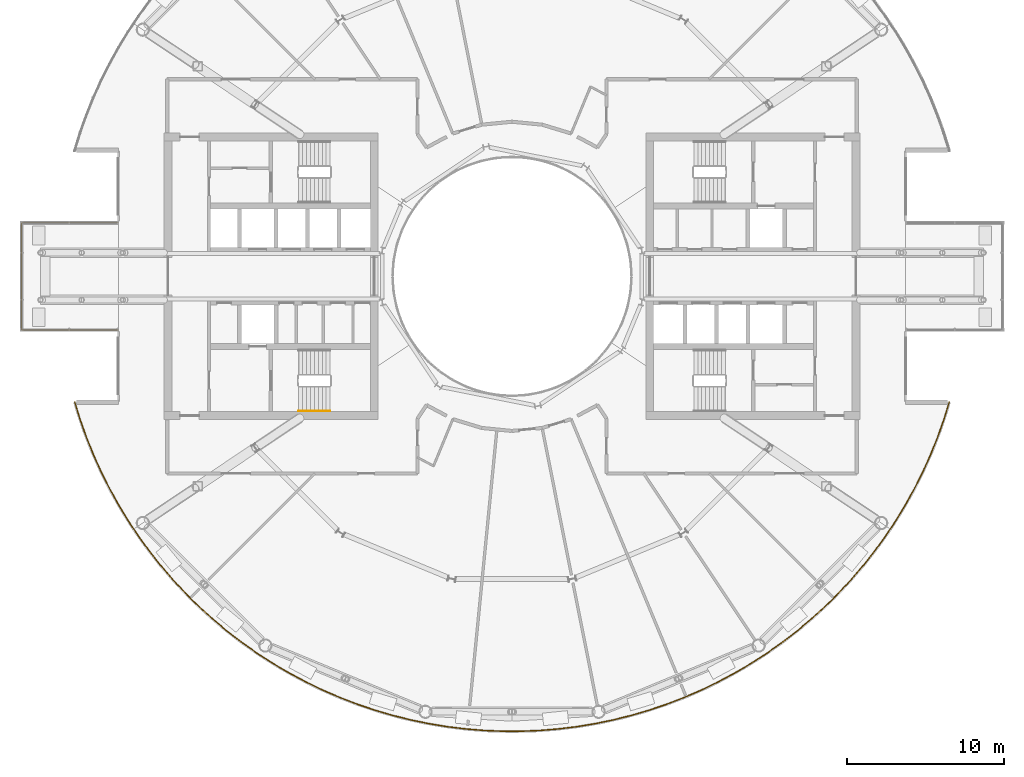
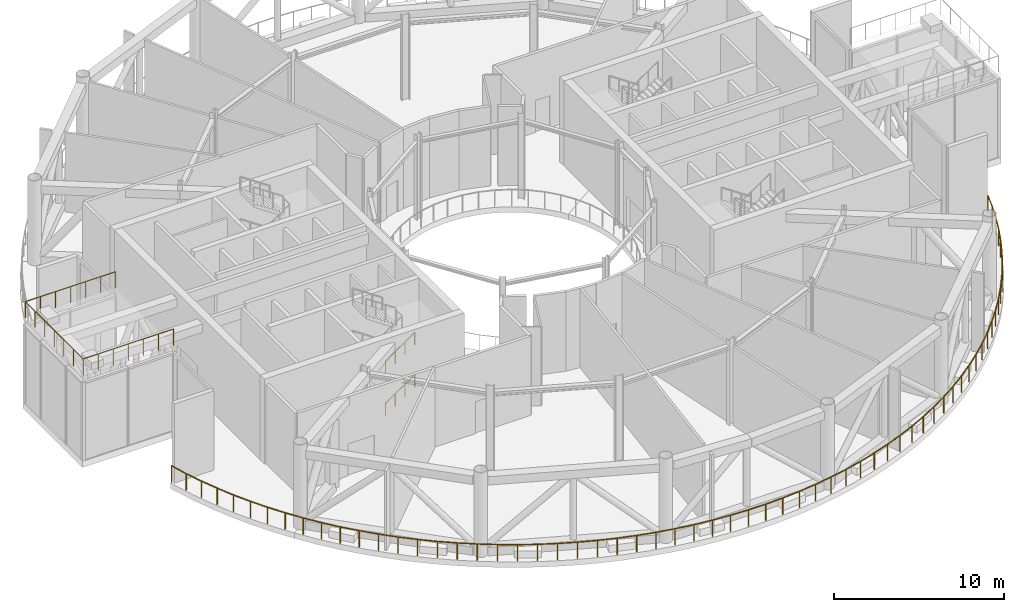
# One storey, part 20 of 24: 4 railings.
"""IFC4 building model written with IfcOpenShell, lengths in metres."""

from ifc_helpers import new_model, si_unit, direction, frame, origin, origin_2d, place, context, subcontext, project, spatial, circle, extrude, material, type_object, element, save


model = new_model("IFC4")

# Units and contexts
model_context = context("Model", 3, precision=1e-05, world=origin(), true_north=direction((0.0, 1.0)))
body_context = subcontext(model_context, "Body", "Model", "MODEL_VIEW")
ifc_project = project(units=[si_unit("LENGTHUNIT", "METRE"), si_unit("AREAUNIT", "SQUARE_METRE"), si_unit("VOLUMEUNIT", "CUBIC_METRE"), si_unit("PLANEANGLEUNIT", "RADIAN"), si_unit("MASSUNIT", "GRAM", prefix="KILO")], contexts=[model_context])

# Site, building, storey
site_placement = place(None, origin())
site = spatial("IfcSite", under=ifc_project, at=site_placement, CompositionType="ELEMENT")
building_placement = place(site_placement, origin())
building = spatial("IfcBuilding", under=site, at=building_placement, Name="Maasbend Ring Residences", CompositionType="ELEMENT")
storey_placement = place(building_placement, frame((0.0, 0.0, 179.89990234375)))
storey = spatial("IfcBuildingStorey", under=building, at=storey_placement, Name="L52", CompositionType="ELEMENT", Elevation=179.89990234375)

# Railings
ifc_material_1 = material(Name="Stainless steel 316 and glass", Category="steel")
railing_type_1 = type_object("IfcRailingType", Name="RL-GUARD", PredefinedType="GUARDRAIL", material=ifc_material_1)
railing_1_placement = place(storey_placement, frame((-27.778564453125, -7.972412109375, 0.0)))
element("IfcRailing", 1, at=railing_1_placement, inside=storey, type_object=railing_type_1, Name="Garden guard outer 2", PredefinedType="GUARDRAIL", context=body_context, shape_type="SweptSolid", body=[
    extrude(circle(Radius=0.02490234375, at=origin_2d()), frame((0.0, 0.0, 1.1748046875), z_axis=(0.295504624123, -0.95534130923, 0.0), x_axis=(0.95534130923, 0.295504624123, 0.0)), (0.0, 0.0, 1.0), 1.184814453125),
    extrude(circle(Radius=0.02490234375, at=origin_2d()), frame((0.35009765625, -1.1318359375, 1.1748046875), z_axis=(0.334285842511, -0.94247173724, 0.0), x_axis=(0.94247173724, 0.334285842511, 0.0)), (0.0, 0.0, 1.0), 1.1845703125),
    extrude(circle(Radius=0.02490234375, at=origin_2d()), frame((0.74609375, -2.248291015625, 1.1748046875), z_axis=(0.372847180885, -0.927892763042, 0.0), x_axis=(0.927892763042, 0.372847180885, 0.0)), (0.0, 0.0, 1.0), 1.1845703125),
    extrude(circle(Radius=0.02490234375, at=origin_2d()), frame((1.187744140625, -3.347412109375, 1.1748046875), z_axis=(0.410493199792, -0.911863659175, 0.0), x_axis=(0.911863659175, 0.410493199792, 0.0)), (0.0, 0.0, 1.0), 1.184814453125),
    extrude(circle(Radius=0.02490234375, at=origin_2d()), frame((1.674072265625, -4.427734375, 1.1748046875), z_axis=(0.447460908245, -0.894303491882, 0.0), x_axis=(0.894303491882, 0.447460908245, 0.0)), (0.0, 0.0, 1.0), 1.1845703125),
    extrude(circle(Radius=0.02490234375, at=origin_2d()), frame((2.2041015625, -5.487060546875, 1.1748046875), z_axis=(0.483839805506, -0.875156581766, 0.0), x_axis=(0.875156581766, 0.483839805506, 0.0)), (0.0, 0.0, 1.0), 1.184814453125),
    extrude(circle(Radius=0.02490234375, at=origin_2d()), frame((2.77734375, -6.52392578125, 1.1748046875), z_axis=(0.51915559987, -0.854679743017, 0.0), x_axis=(0.854679743017, 0.51915559987, 0.0)), (0.0, 0.0, 1.0), 1.1845703125),
    extrude(circle(Radius=0.02490234375, at=origin_2d()), frame((3.392333984375, -7.536376953125, 1.1748046875), z_axis=(0.553796190877, -0.832652255729, 0.0), x_axis=(0.832652255729, 0.553796190877, 0.0)), (0.0, 0.0, 1.0), 1.1845703125),
    extrude(circle(Radius=0.02490234375, at=origin_2d()), frame((4.04833984375, -8.522705078125, 1.1748046875), z_axis=(0.58749759803, -0.809225909317, 0.0), x_axis=(0.809225909317, 0.58749759803, 0.0)), (0.0, 0.0, 1.0), 1.184814453125),
    extrude(circle(Radius=0.02490234375, at=origin_2d()), frame((4.744384765625, -9.4814453125, 1.1748046875), z_axis=(0.620185444157, -0.78445523445, 0.0), x_axis=(0.78445523445, 0.620185444157, 0.0)), (0.0, 0.0, 1.0), 1.1845703125),
    extrude(circle(Radius=0.02490234375, at=origin_2d()), frame((5.47900390625, -10.41064453125, 1.1748046875), z_axis=(0.65182600946, -0.758368547206, 0.0), x_axis=(0.758368547206, 0.65182600946, 0.0)), (0.0, 0.0, 1.0), 1.184814453125),
    extrude(circle(Radius=0.02490234375, at=origin_2d()), frame((6.251220703125, -11.30908203125, 1.1748046875), z_axis=(0.682156690758, -0.731206023809, 0.0), x_axis=(0.731206023809, 0.682156690758, 0.0)), (0.0, 0.0, 1.0), 1.1845703125),
    extrude(circle(Radius=0.02490234375, at=origin_2d()), frame((7.059326171875, -12.17529296875, 1.1748046875), z_axis=(0.711830937603, -0.702350849841, 0.0), x_axis=(0.702350849841, 0.711830937603, 0.0)), (0.0, 0.0, 1.0), 1.1845703125),
    extrude(circle(Radius=0.02490234375, at=origin_2d()), frame((7.902587890625, -13.00732421875, 1.1748046875), z_axis=(0.739800189204, -0.672826634471, 0.0), x_axis=(0.672826634471, 0.739800189204, 0.0)), (0.0, 0.0, 1.0), 1.184814453125),
    extrude(circle(Radius=0.02490234375, at=origin_2d()), frame((8.779052734375, -13.804443359375, 1.1748046875), z_axis=(0.766885051085, -0.641784479731, 0.0), x_axis=(0.641784479731, 0.766885051085, 0.0)), (0.0, 0.0, 1.0), 1.1845703125),
    extrude(circle(Radius=0.02490234375, at=origin_2d()), frame((9.6875, -14.564697265625, 1.1748046875), z_axis=(0.792493715501, -0.609880079107, 0.0), x_axis=(0.609880079107, 0.792493715501, 0.0)), (0.0, 0.0, 1.0), 1.1845703125),
    extrude(circle(Radius=0.02490234375, at=origin_2d()), frame((10.626220703125, -15.287109375, 1.1748046875), z_axis=(0.816785089041, -0.576942040695, 0.0), x_axis=(0.576942040695, 0.816785089041, 0.0)), (0.0, 0.0, 1.0), 1.184814453125),
    extrude(circle(Radius=0.02490234375, at=origin_2d()), frame((11.593994140625, -15.970703125, 1.1748046875), z_axis=(0.839829939632, -0.542849585519, 0.0), x_axis=(0.542849585519, 0.839829939632, 0.0)), (0.0, 0.0, 1.0), 1.1845703125),
    extrude(circle(Radius=0.02490234375, at=origin_2d()), frame((12.5888671875, -16.61376953125, 1.1748046875), z_axis=(0.861324276781, -0.508055597575, 0.0), x_axis=(0.508055597575, 0.861324276781, 0.0)), (0.0, 0.0, 1.0), 1.1845703125),
    extrude(circle(Radius=0.02490234375, at=origin_2d()), frame((13.609130859375, -17.215576171875, 1.1748046875), z_axis=(0.881415624836, -0.472341503887, 0.0), x_axis=(0.472341503887, 0.881415624836, 0.0)), (0.0, 0.0, 1.0), 1.1845703125),
    extrude(circle(Radius=0.02490234375, at=origin_2d()), frame((14.6533203125, -17.775146484375, 1.1748046875), z_axis=(0.900002799964, -0.435884113104, 0.0), x_axis=(0.435884113104, 0.900002799964, 0.0)), (0.0, 0.0, 1.0), 1.1845703125),
    extrude(circle(Radius=0.02490234375, at=origin_2d()), frame((15.719482421875, -18.29150390625, 1.1748046875), z_axis=(0.917129024526, -0.398590456951, 0.0), x_axis=(0.398590456951, 0.917129024526, 0.0)), (0.0, 0.0, 1.0), 1.1845703125),
    extrude(circle(Radius=0.02490234375, at=origin_2d()), frame((16.805908203125, -18.763671875, 1.1748046875), z_axis=(0.932706782024, -0.360635631582, 0.0), x_axis=(0.360635631582, 0.932706782024, 0.0)), (0.0, 0.0, 1.0), 1.184814453125),
    extrude(circle(Radius=0.02490234375, at=origin_2d()), frame((17.910888671875, -19.19091796875, 1.1748046875), z_axis=(0.946770232419, -0.321910122559, 0.0), x_axis=(0.321910122559, 0.946770232419, 0.0)), (0.0, 0.0, 1.0), 1.1845703125),
    extrude(circle(Radius=0.02490234375, at=origin_2d()), frame((19.032470703125, -19.572265625, 1.1748046875), z_axis=(0.959076230705, -0.283147989039, 0.0), x_axis=(0.283147989039, 0.959076230705, 0.0)), (0.0, 0.0, 1.0), 1.184814453125),
    extrude(circle(Radius=0.02490234375, at=origin_2d()), frame((20.168701171875, -19.90771484375, 1.1748046875), z_axis=(0.969923880017, -0.243408436528, 0.0), x_axis=(0.243408436528, 0.969923880017, 0.0)), (0.0, 0.0, 1.0), 1.1845703125),
    extrude(circle(Radius=0.02490234375, at=origin_2d()), frame((21.317626953125, -20.196044921875, 1.1748046875), z_axis=(0.979054075839, -0.203600384536, 0.0), x_axis=(0.203600384536, 0.979054075839, 0.0)), (0.0, 0.0, 1.0), 1.184814453125),
    extrude(circle(Radius=0.02490234375, at=origin_2d()), frame((22.4775390625, -20.437255859375, 1.1748046875), z_axis=(0.986588187234, -0.163229129787, 0.0), x_axis=(0.163229129787, 0.986588187234, 0.0)), (0.0, 0.0, 1.0), 1.1845703125),
    extrude(circle(Radius=0.02490234375, at=origin_2d()), frame((23.646240234375, -20.630615234375, 1.1748046875), z_axis=(0.992454401235, -0.122614279222, 0.0), x_axis=(0.122614279222, 0.992454401235, 0.0)), (0.0, 0.0, 1.0), 1.184814453125),
    extrude(circle(Radius=0.02490234375, at=origin_2d()), frame((24.822021484375, -20.77587890625, 1.1748046875), z_axis=(0.996630509683, -0.082022113907, 0.0), x_axis=(0.082022113907, 0.996630509683, 0.0)), (0.0, 0.0, 1.0), 1.1845703125),
    extrude(circle(Radius=0.02490234375, at=origin_2d()), frame((26.002685546875, -20.873046875, 1.1748046875), z_axis=(0.999158599932, -0.041013317118, 0.0), x_axis=(0.041013317118, 0.999158599932, 0.0)), (0.0, 0.0, 1.0), 1.1845703125),
    extrude(circle(Radius=0.02490234375, at=origin_2d()), frame((27.186279296875, -20.921630859375, 1.1748046875), z_axis=(1.0, 0.0, 0.0), x_axis=(0.0, 1.0, 0.0)), (0.0, 0.0, 1.0), 1.1845703125),
    extrude(circle(Radius=0.02490234375, at=origin_2d()), frame((28.370849609375, -20.921630859375, 1.1748046875), z_axis=(0.999158599932, 0.041013317118, 0.0), x_axis=(-0.041013317118, 0.999158599932, 0.0)), (0.0, 0.0, 1.0), 1.1845703125),
    extrude(circle(Radius=0.02490234375, at=origin_2d()), frame((29.554443359375, -20.873046875, 1.1748046875), z_axis=(0.996630509683, 0.082022113907, 0.0), x_axis=(-0.082022113907, 0.996630509683, 0.0)), (0.0, 0.0, 1.0), 1.1845703125),
    extrude(circle(Radius=0.02490234375, at=origin_2d()), frame((30.735107421875, -20.77587890625, 1.1748046875), z_axis=(0.992454401235, 0.122614279222, 0.0), x_axis=(-0.122614279222, 0.992454401235, 0.0)), (0.0, 0.0, 1.0), 1.184814453125),
    extrude(circle(Radius=0.02490234375, at=origin_2d()), frame((31.910888671875, -20.630615234375, 1.1748046875), z_axis=(0.986588187234, 0.163229129787, 0.0), x_axis=(-0.163229129787, 0.986588187234, 0.0)), (0.0, 0.0, 1.0), 1.1845703125),
    extrude(circle(Radius=0.02490234375, at=origin_2d()), frame((33.07958984375, -20.437255859375, 1.1748046875), z_axis=(0.979054075839, 0.203600384536, 0.0), x_axis=(-0.203600384536, 0.979054075839, 0.0)), (0.0, 0.0, 1.0), 1.184814453125),
    extrude(circle(Radius=0.02490234375, at=origin_2d()), frame((34.239501953125, -20.196044921875, 1.1748046875), z_axis=(0.969923880017, 0.243408436528, 0.0), x_axis=(-0.243408436528, 0.969923880017, 0.0)), (0.0, 0.0, 1.0), 1.1845703125),
    extrude(circle(Radius=0.02490234375, at=origin_2d()), frame((35.388427734375, -19.90771484375, 1.1748046875), z_axis=(0.959076230705, 0.283147989039, 0.0), x_axis=(-0.283147989039, 0.959076230705, 0.0)), (0.0, 0.0, 1.0), 1.184814453125),
    extrude(circle(Radius=0.02490234375, at=origin_2d()), frame((36.524658203125, -19.572265625, 1.1748046875), z_axis=(0.946770232419, 0.321910122559, 0.0), x_axis=(-0.321910122559, 0.946770232419, 0.0)), (0.0, 0.0, 1.0), 1.1845703125),
    extrude(circle(Radius=0.02490234375, at=origin_2d()), frame((37.646240234375, -19.19091796875, 1.1748046875), z_axis=(0.932706782024, 0.360635631582, 0.0), x_axis=(-0.360635631582, 0.932706782024, 0.0)), (0.0, 0.0, 1.0), 1.184814453125),
    extrude(circle(Radius=0.02490234375, at=origin_2d()), frame((38.751220703125, -18.763671875, 1.1748046875), z_axis=(0.917129024526, 0.398590456951, 0.0), x_axis=(-0.398590456951, 0.917129024526, 0.0)), (0.0, 0.0, 1.0), 1.1845703125),
    extrude(circle(Radius=0.02490234375, at=origin_2d()), frame((39.837646484375, -18.29150390625, 1.1748046875), z_axis=(0.900002799964, 0.435884113104, 0.0), x_axis=(-0.435884113104, 0.900002799964, 0.0)), (0.0, 0.0, 1.0), 1.1845703125),
    extrude(circle(Radius=0.02490234375, at=origin_2d()), frame((40.90380859375, -17.775146484375, 1.1748046875), z_axis=(0.881415624836, 0.472341503887, 0.0), x_axis=(-0.472341503887, 0.881415624836, 0.0)), (0.0, 0.0, 1.0), 1.1845703125),
    extrude(circle(Radius=0.02490234375, at=origin_2d()), frame((41.947998046875, -17.215576171875, 1.1748046875), z_axis=(0.861324276781, 0.508055597575, 0.0), x_axis=(-0.508055597575, 0.861324276781, 0.0)), (0.0, 0.0, 1.0), 1.1845703125),
    extrude(circle(Radius=0.02490234375, at=origin_2d()), frame((42.96826171875, -16.61376953125, 1.1748046875), z_axis=(0.839829939632, 0.542849585519, 0.0), x_axis=(-0.542849585519, 0.839829939632, 0.0)), (0.0, 0.0, 1.0), 1.1845703125),
    extrude(circle(Radius=0.02490234375, at=origin_2d()), frame((43.963134765625, -15.970703125, 1.1748046875), z_axis=(0.816785089041, 0.576942040695, 0.0), x_axis=(-0.576942040695, 0.816785089041, 0.0)), (0.0, 0.0, 1.0), 1.184814453125),
    extrude(circle(Radius=0.02490234375, at=origin_2d()), frame((44.930908203125, -15.287109375, 1.1748046875), z_axis=(0.792493715501, 0.609880079107, 0.0), x_axis=(-0.609880079107, 0.792493715501, 0.0)), (0.0, 0.0, 1.0), 1.1845703125),
    extrude(circle(Radius=0.02490234375, at=origin_2d()), frame((45.86962890625, -14.564697265625, 1.1748046875), z_axis=(0.766885051085, 0.641784479731, 0.0), x_axis=(-0.641784479731, 0.766885051085, 0.0)), (0.0, 0.0, 1.0), 1.1845703125),
    extrude(circle(Radius=0.02490234375, at=origin_2d()), frame((46.778076171875, -13.804443359375, 1.1748046875), z_axis=(0.739800189204, 0.672826634471, 0.0), x_axis=(-0.672826634471, 0.739800189204, 0.0)), (0.0, 0.0, 1.0), 1.184814453125),
    extrude(circle(Radius=0.02490234375, at=origin_2d()), frame((47.654541015625, -13.00732421875, 1.1748046875), z_axis=(0.711830937603, 0.702350849841, 0.0), x_axis=(-0.702350849841, 0.711830937603, 0.0)), (0.0, 0.0, 1.0), 1.1845703125),
    extrude(circle(Radius=0.02490234375, at=origin_2d()), frame((48.497802734375, -12.17529296875, 1.1748046875), z_axis=(0.682156690758, 0.731206023809, 0.0), x_axis=(-0.731206023809, 0.682156690758, 0.0)), (0.0, 0.0, 1.0), 1.1845703125),
    extrude(circle(Radius=0.02490234375, at=origin_2d()), frame((49.305908203125, -11.30908203125, 1.1748046875), z_axis=(0.65182600946, 0.758368547206, 0.0), x_axis=(-0.758368547206, 0.65182600946, 0.0)), (0.0, 0.0, 1.0), 1.184814453125),
    extrude(circle(Radius=0.02490234375, at=origin_2d()), frame((50.078125, -10.41064453125, 1.1748046875), z_axis=(0.620185444157, 0.78445523445, 0.0), x_axis=(-0.78445523445, 0.620185444157, 0.0)), (0.0, 0.0, 1.0), 1.1845703125),
    extrude(circle(Radius=0.02490234375, at=origin_2d()), frame((50.812744140625, -9.4814453125, 1.1748046875), z_axis=(0.58749759803, 0.809225909317, 0.0), x_axis=(-0.809225909317, 0.58749759803, 0.0)), (0.0, 0.0, 1.0), 1.184814453125),
    extrude(circle(Radius=0.02490234375, at=origin_2d()), frame((51.5087890625, -8.522705078125, 1.1748046875), z_axis=(0.553796190877, 0.832652255729, 0.0), x_axis=(-0.832652255729, 0.553796190877, 0.0)), (0.0, 0.0, 1.0), 1.1845703125),
    extrude(circle(Radius=0.02490234375, at=origin_2d()), frame((52.164794921875, -7.536376953125, 1.1748046875), z_axis=(0.51915559987, 0.854679743017, 0.0), x_axis=(-0.854679743017, 0.51915559987, 0.0)), (0.0, 0.0, 1.0), 1.1845703125),
    extrude(circle(Radius=0.02490234375, at=origin_2d()), frame((52.77978515625, -6.52392578125, 1.1748046875), z_axis=(0.483839805506, 0.875156581766, 0.0), x_axis=(-0.875156581766, 0.483839805506, 0.0)), (0.0, 0.0, 1.0), 1.184814453125),
    extrude(circle(Radius=0.02490234375, at=origin_2d()), frame((53.35302734375, -5.487060546875, 1.1748046875), z_axis=(0.447460908245, 0.894303491882, 0.0), x_axis=(-0.894303491882, 0.447460908245, 0.0)), (0.0, 0.0, 1.0), 1.1845703125),
    extrude(circle(Radius=0.02490234375, at=origin_2d()), frame((53.883056640625, -4.427734375, 1.1748046875), z_axis=(0.410493199792, 0.911863659175, 0.0), x_axis=(-0.911863659175, 0.410493199792, 0.0)), (0.0, 0.0, 1.0), 1.184814453125),
    extrude(circle(Radius=0.02490234375, at=origin_2d()), frame((54.369384765625, -3.347412109375, 1.1748046875), z_axis=(0.372847180885, 0.927892763042, 0.0), x_axis=(-0.927892763042, 0.372847180885, 0.0)), (0.0, 0.0, 1.0), 1.1845703125),
    extrude(circle(Radius=0.02490234375, at=origin_2d()), frame((54.81103515625, -2.248291015625, 1.1748046875), z_axis=(0.334285842511, 0.94247173724, 0.0), x_axis=(-0.94247173724, 0.334285842511, 0.0)), (0.0, 0.0, 1.0), 1.1845703125),
    extrude(circle(Radius=0.02490234375, at=origin_2d()), frame((55.20703125, -1.1318359375, 1.1748046875), z_axis=(0.295504624123, 0.95534130923, 0.0), x_axis=(-0.95534130923, 0.295504624123, 0.0)), (0.0, 0.0, 1.0), 1.184814453125),
    extrude(circle(Radius=0.02001953125, at=origin_2d()), origin(), (0.0, 0.0, 1.0), 1.14990234375),
    extrude(circle(Radius=0.02001953125, at=origin_2d()), frame((0.35009765625, -1.1318359375, 0.0)), (0.0, 0.0, 1.0), 1.14990234375),
    extrude(circle(Radius=0.02001953125, at=origin_2d()), frame((0.74609375, -2.248291015625, 0.0)), (0.0, 0.0, 1.0), 1.14990234375),
    extrude(circle(Radius=0.02001953125, at=origin_2d()), frame((1.187744140625, -3.347412109375, 0.0)), (0.0, 0.0, 1.0), 1.14990234375),
    extrude(circle(Radius=0.02001953125, at=origin_2d()), frame((1.674072265625, -4.427734375, 0.0)), (0.0, 0.0, 1.0), 1.14990234375),
    extrude(circle(Radius=0.02001953125, at=origin_2d()), frame((2.2041015625, -5.487060546875, 0.0)), (0.0, 0.0, 1.0), 1.14990234375),
    extrude(circle(Radius=0.02001953125, at=origin_2d()), frame((2.77734375, -6.52392578125, 0.0)), (0.0, 0.0, 1.0), 1.14990234375),
    extrude(circle(Radius=0.02001953125, at=origin_2d()), frame((3.392333984375, -7.536376953125, 0.0)), (0.0, 0.0, 1.0), 1.14990234375),
    extrude(circle(Radius=0.02001953125, at=origin_2d()), frame((4.04833984375, -8.522705078125, 0.0)), (0.0, 0.0, 1.0), 1.14990234375),
    extrude(circle(Radius=0.02001953125, at=origin_2d()), frame((4.744384765625, -9.4814453125, 0.0)), (0.0, 0.0, 1.0), 1.14990234375),
    extrude(circle(Radius=0.02001953125, at=origin_2d()), frame((5.47900390625, -10.41064453125, 0.0)), (0.0, 0.0, 1.0), 1.14990234375),
    extrude(circle(Radius=0.02001953125, at=origin_2d()), frame((6.251220703125, -11.30908203125, 0.0)), (0.0, 0.0, 1.0), 1.14990234375),
    extrude(circle(Radius=0.02001953125, at=origin_2d()), frame((7.059326171875, -12.17529296875, 0.0)), (0.0, 0.0, 1.0), 1.14990234375),
    extrude(circle(Radius=0.02001953125, at=origin_2d()), frame((7.902587890625, -13.00732421875, 0.0)), (0.0, 0.0, 1.0), 1.14990234375),
    extrude(circle(Radius=0.02001953125, at=origin_2d()), frame((8.779052734375, -13.804443359375, 0.0)), (0.0, 0.0, 1.0), 1.14990234375),
    extrude(circle(Radius=0.02001953125, at=origin_2d()), frame((9.6875, -14.564697265625, 0.0)), (0.0, 0.0, 1.0), 1.14990234375),
    extrude(circle(Radius=0.02001953125, at=origin_2d()), frame((10.626220703125, -15.287109375, 0.0)), (0.0, 0.0, 1.0), 1.14990234375),
    extrude(circle(Radius=0.02001953125, at=origin_2d()), frame((11.593994140625, -15.970703125, 0.0)), (0.0, 0.0, 1.0), 1.14990234375),
    extrude(circle(Radius=0.02001953125, at=origin_2d()), frame((12.5888671875, -16.61376953125, 0.0)), (0.0, 0.0, 1.0), 1.14990234375),
    extrude(circle(Radius=0.02001953125, at=origin_2d()), frame((13.609130859375, -17.215576171875, 0.0)), (0.0, 0.0, 1.0), 1.14990234375),
    extrude(circle(Radius=0.02001953125, at=origin_2d()), frame((14.6533203125, -17.775146484375, 0.0)), (0.0, 0.0, 1.0), 1.14990234375),
    extrude(circle(Radius=0.02001953125, at=origin_2d()), frame((15.719482421875, -18.29150390625, 0.0)), (0.0, 0.0, 1.0), 1.14990234375),
    extrude(circle(Radius=0.02001953125, at=origin_2d()), frame((16.805908203125, -18.763671875, 0.0)), (0.0, 0.0, 1.0), 1.14990234375),
    extrude(circle(Radius=0.02001953125, at=origin_2d()), frame((17.910888671875, -19.19091796875, 0.0)), (0.0, 0.0, 1.0), 1.14990234375),
    extrude(circle(Radius=0.02001953125, at=origin_2d()), frame((19.032470703125, -19.572265625, 0.0)), (0.0, 0.0, 1.0), 1.14990234375),
    extrude(circle(Radius=0.02001953125, at=origin_2d()), frame((20.168701171875, -19.90771484375, 0.0)), (0.0, 0.0, 1.0), 1.14990234375),
    extrude(circle(Radius=0.02001953125, at=origin_2d()), frame((21.317626953125, -20.196044921875, 0.0)), (0.0, 0.0, 1.0), 1.14990234375),
    extrude(circle(Radius=0.02001953125, at=origin_2d()), frame((22.4775390625, -20.437255859375, 0.0)), (0.0, 0.0, 1.0), 1.14990234375),
    extrude(circle(Radius=0.02001953125, at=origin_2d()), frame((23.646240234375, -20.630615234375, 0.0)), (0.0, 0.0, 1.0), 1.14990234375),
    extrude(circle(Radius=0.02001953125, at=origin_2d()), frame((24.822021484375, -20.77587890625, 0.0)), (0.0, 0.0, 1.0), 1.14990234375),
    extrude(circle(Radius=0.02001953125, at=origin_2d()), frame((26.002685546875, -20.873046875, 0.0)), (0.0, 0.0, 1.0), 1.14990234375),
    extrude(circle(Radius=0.02001953125, at=origin_2d()), frame((27.186279296875, -20.921630859375, 0.0)), (0.0, 0.0, 1.0), 1.14990234375),
    extrude(circle(Radius=0.02001953125, at=origin_2d()), frame((28.370849609375, -20.921630859375, 0.0)), (0.0, 0.0, 1.0), 1.14990234375),
    extrude(circle(Radius=0.02001953125, at=origin_2d()), frame((29.554443359375, -20.873046875, 0.0)), (0.0, 0.0, 1.0), 1.14990234375),
    extrude(circle(Radius=0.02001953125, at=origin_2d()), frame((30.735107421875, -20.77587890625, 0.0)), (0.0, 0.0, 1.0), 1.14990234375),
    extrude(circle(Radius=0.02001953125, at=origin_2d()), frame((31.910888671875, -20.630615234375, 0.0)), (0.0, 0.0, 1.0), 1.14990234375),
    extrude(circle(Radius=0.02001953125, at=origin_2d()), frame((33.07958984375, -20.437255859375, 0.0)), (0.0, 0.0, 1.0), 1.14990234375),
    extrude(circle(Radius=0.02001953125, at=origin_2d()), frame((34.239501953125, -20.196044921875, 0.0)), (0.0, 0.0, 1.0), 1.14990234375),
    extrude(circle(Radius=0.02001953125, at=origin_2d()), frame((35.388427734375, -19.90771484375, 0.0)), (0.0, 0.0, 1.0), 1.14990234375),
    extrude(circle(Radius=0.02001953125, at=origin_2d()), frame((36.524658203125, -19.572265625, 0.0)), (0.0, 0.0, 1.0), 1.14990234375),
    extrude(circle(Radius=0.02001953125, at=origin_2d()), frame((37.646240234375, -19.19091796875, 0.0)), (0.0, 0.0, 1.0), 1.14990234375),
    extrude(circle(Radius=0.02001953125, at=origin_2d()), frame((38.751220703125, -18.763671875, 0.0)), (0.0, 0.0, 1.0), 1.14990234375),
    extrude(circle(Radius=0.02001953125, at=origin_2d()), frame((39.837646484375, -18.29150390625, 0.0)), (0.0, 0.0, 1.0), 1.14990234375),
    extrude(circle(Radius=0.02001953125, at=origin_2d()), frame((40.90380859375, -17.775146484375, 0.0)), (0.0, 0.0, 1.0), 1.14990234375),
    extrude(circle(Radius=0.02001953125, at=origin_2d()), frame((41.947998046875, -17.215576171875, 0.0)), (0.0, 0.0, 1.0), 1.14990234375),
    extrude(circle(Radius=0.02001953125, at=origin_2d()), frame((42.96826171875, -16.61376953125, 0.0)), (0.0, 0.0, 1.0), 1.14990234375),
    extrude(circle(Radius=0.02001953125, at=origin_2d()), frame((43.963134765625, -15.970703125, 0.0)), (0.0, 0.0, 1.0), 1.14990234375),
    extrude(circle(Radius=0.02001953125, at=origin_2d()), frame((44.930908203125, -15.287109375, 0.0)), (0.0, 0.0, 1.0), 1.14990234375),
    extrude(circle(Radius=0.02001953125, at=origin_2d()), frame((45.86962890625, -14.564697265625, 0.0)), (0.0, 0.0, 1.0), 1.14990234375),
    extrude(circle(Radius=0.02001953125, at=origin_2d()), frame((46.778076171875, -13.804443359375, 0.0)), (0.0, 0.0, 1.0), 1.14990234375),
    extrude(circle(Radius=0.02001953125, at=origin_2d()), frame((47.654541015625, -13.00732421875, 0.0)), (0.0, 0.0, 1.0), 1.14990234375),
    extrude(circle(Radius=0.02001953125, at=origin_2d()), frame((48.497802734375, -12.17529296875, 0.0)), (0.0, 0.0, 1.0), 1.14990234375),
    extrude(circle(Radius=0.02001953125, at=origin_2d()), frame((49.305908203125, -11.30908203125, 0.0)), (0.0, 0.0, 1.0), 1.14990234375),
    extrude(circle(Radius=0.02001953125, at=origin_2d()), frame((50.078125, -10.41064453125, 0.0)), (0.0, 0.0, 1.0), 1.14990234375),
    extrude(circle(Radius=0.02001953125, at=origin_2d()), frame((50.812744140625, -9.4814453125, 0.0)), (0.0, 0.0, 1.0), 1.14990234375),
    extrude(circle(Radius=0.02001953125, at=origin_2d()), frame((51.5087890625, -8.522705078125, 0.0)), (0.0, 0.0, 1.0), 1.14990234375),
    extrude(circle(Radius=0.02001953125, at=origin_2d()), frame((52.164794921875, -7.536376953125, 0.0)), (0.0, 0.0, 1.0), 1.14990234375),
    extrude(circle(Radius=0.02001953125, at=origin_2d()), frame((52.77978515625, -6.52392578125, 0.0)), (0.0, 0.0, 1.0), 1.14990234375),
    extrude(circle(Radius=0.02001953125, at=origin_2d()), frame((53.35302734375, -5.487060546875, 0.0)), (0.0, 0.0, 1.0), 1.14990234375),
    extrude(circle(Radius=0.02001953125, at=origin_2d()), frame((53.883056640625, -4.427734375, 0.0)), (0.0, 0.0, 1.0), 1.14990234375),
    extrude(circle(Radius=0.02001953125, at=origin_2d()), frame((54.369384765625, -3.347412109375, 0.0)), (0.0, 0.0, 1.0), 1.14990234375),
    extrude(circle(Radius=0.02001953125, at=origin_2d()), frame((54.81103515625, -2.248291015625, 0.0)), (0.0, 0.0, 1.0), 1.14990234375),
    extrude(circle(Radius=0.02001953125, at=origin_2d()), frame((55.20703125, -1.1318359375, 0.0)), (0.0, 0.0, 1.0), 1.14990234375),
    extrude(circle(Radius=0.02001953125, at=origin_2d()), frame((55.55712890625, 0.0, 0.0)), (0.0, 0.0, 1.0), 1.14990234375),
])
railing_2_placement = place(storey_placement, frame((-25.0, -3.39990234375, 6.10009765625)))
element("IfcRailing", 2, at=railing_2_placement, inside=storey, type_object=railing_type_1, Name="Roof terrace guard", PredefinedType="GUARDRAIL", context=body_context, shape_type="SweptSolid", body=[
    extrude(circle(Radius=0.02490234375, at=origin_2d()), frame((0.0, 0.0, 1.1748046875), z_axis=(-1.0, 0.0, 0.0), x_axis=(0.0, -1.0, 0.0)), (0.0, 0.0, 1.0), 6.14990234375),
    extrude(circle(Radius=0.02490234375, at=origin_2d()), frame((-6.14990234375, 0.0, 1.1748046875), z_axis=(0.0, 1.0, 0.0), x_axis=(-1.0, 0.0, 0.0)), (0.0, 0.0, 1.0), 6.7998046875),
    extrude(circle(Radius=0.02490234375, at=origin_2d()), frame((-6.14990234375, 6.7998046875, 1.1748046875), z_axis=(1.0, 0.0, 0.0), x_axis=(0.0, 1.0, 0.0)), (0.0, 0.0, 1.0), 6.14990234375),
    extrude(circle(Radius=0.02001953125, at=origin_2d()), origin(), (0.0, 0.0, 1.0), 1.14990234375),
    extrude(circle(Radius=0.02001953125, at=origin_2d()), frame((-1.02490234375, 0.0, 0.0)), (0.0, 0.0, 1.0), 1.14990234375),
    extrude(circle(Radius=0.02001953125, at=origin_2d()), frame((-2.050048828125, 0.0, 0.0)), (0.0, 0.0, 1.0), 1.14990234375),
    extrude(circle(Radius=0.02001953125, at=origin_2d()), frame((-3.074951171875, 0.0, 0.0)), (0.0, 0.0, 1.0), 1.14990234375),
    extrude(circle(Radius=0.02001953125, at=origin_2d()), frame((-4.099853515625, 0.0, 0.0)), (0.0, 0.0, 1.0), 1.14990234375),
    extrude(circle(Radius=0.02001953125, at=origin_2d()), frame((-5.125, 0.0, 0.0)), (0.0, 0.0, 1.0), 1.14990234375),
    extrude(circle(Radius=0.02001953125, at=origin_2d()), frame((-6.14990234375, 0.0, 0.0)), (0.0, 0.0, 1.0), 1.14990234375),
    extrude(circle(Radius=0.02001953125, at=origin_2d()), frame((-6.14990234375, 1.13330078125, 0.0)), (0.0, 0.0, 1.0), 1.14990234375),
    extrude(circle(Radius=0.02001953125, at=origin_2d()), frame((-6.14990234375, 2.2666015625, 0.0)), (0.0, 0.0, 1.0), 1.14990234375),
    extrude(circle(Radius=0.02001953125, at=origin_2d()), frame((-6.14990234375, 3.39990234375, 0.0)), (0.0, 0.0, 1.0), 1.14990234375),
    extrude(circle(Radius=0.02001953125, at=origin_2d()), frame((-6.14990234375, 4.533203125, 0.0)), (0.0, 0.0, 1.0), 1.14990234375),
    extrude(circle(Radius=0.02001953125, at=origin_2d()), frame((-6.14990234375, 5.66650390625, 0.0)), (0.0, 0.0, 1.0), 1.14990234375),
    extrude(circle(Radius=0.02001953125, at=origin_2d()), frame((-6.14990234375, 6.7998046875, 0.0)), (0.0, 0.0, 1.0), 1.14990234375),
    extrude(circle(Radius=0.02001953125, at=origin_2d()), frame((-5.125, 6.7998046875, 0.0)), (0.0, 0.0, 1.0), 1.14990234375),
    extrude(circle(Radius=0.02001953125, at=origin_2d()), frame((-4.099853515625, 6.7998046875, 0.0)), (0.0, 0.0, 1.0), 1.14990234375),
    extrude(circle(Radius=0.02001953125, at=origin_2d()), frame((-3.074951171875, 6.7998046875, 0.0)), (0.0, 0.0, 1.0), 1.14990234375),
    extrude(circle(Radius=0.02001953125, at=origin_2d()), frame((-2.050048828125, 6.7998046875, 0.0)), (0.0, 0.0, 1.0), 1.14990234375),
    extrude(circle(Radius=0.02001953125, at=origin_2d()), frame((-1.02490234375, 6.7998046875, 0.0)), (0.0, 0.0, 1.0), 1.14990234375),
    extrude(circle(Radius=0.02001953125, at=origin_2d()), frame((0.0, 6.7998046875, 0.0)), (0.0, 0.0, 1.0), 1.14990234375),
])
ifc_material_2 = material(Name="Stainless steel 316", Category="steel")
railing_type_2 = type_object("IfcRailingType", Name="STAIR HANDRAIL 900", PredefinedType="HANDRAIL", material=ifc_material_2)
for number, where, name in (
    (3, (-13.550048828125, -8.550048828125, 0.16943359375), "L52 ST-W1 stair handrail 1"),
    (4, (-13.550048828125, -8.550048828125, 3.219482421875), "L52 ST-W1 stair handrail 3"),
):
    element("IfcRailing", number, at=place(storey_placement, frame(where)), inside=storey, type_object=railing_type_2, Name=name, PredefinedType="HANDRAIL", context=body_context, shape_type="SweptSolid", body=[
        extrude(circle(Radius=0.02392578125, at=origin_2d()), frame((0.0, 0.0, 0.8759765625), z_axis=(0.827750655447, 0.0, 0.561096116906), x_axis=(0.0, 1.0, 0.0)), (0.0, 0.0, 1.0), 2.416259765625),
        extrude(circle(Radius=0.02099609375, at=origin_2d()), origin(), (0.0, 0.0, 1.0), 0.851806640625),
        extrude(circle(Radius=0.02099609375, at=origin_2d()), frame((0.666748046875, 0.0, 0.451904296875)), (0.0, 0.0, 1.0), 0.851806640625),
        extrude(circle(Radius=0.02099609375, at=origin_2d()), frame((1.333251953125, 0.0, 0.90380859375)), (0.0, 0.0, 1.0), 0.851806640625),
        extrude(circle(Radius=0.02099609375, at=origin_2d()), frame((2.0, 0.0, 1.355712890625)), (0.0, 0.0, 1.0), 0.851806640625),
    ])

save(model, "model.ifc")
